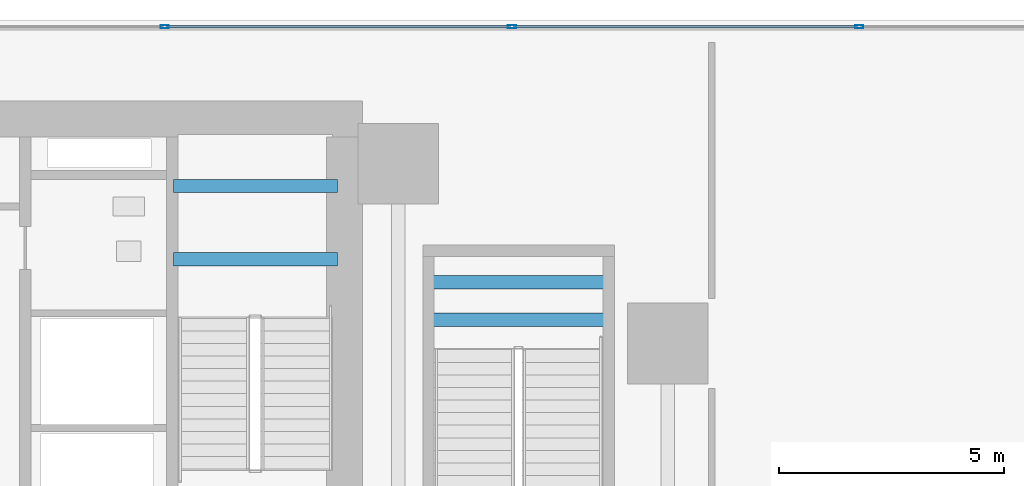
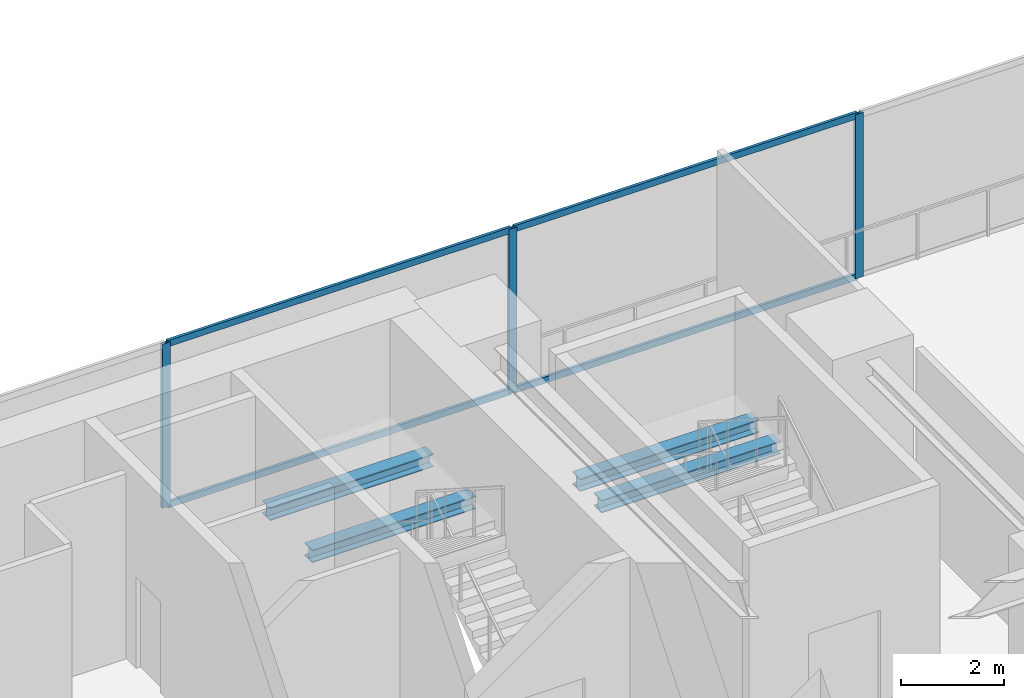
# One storey, part 6 of 17: 7 members, 4 beams, 1 element without a shape of its own.
"""IFC4 building model written with IfcOpenShell, lengths in metres."""

from ifc_helpers import new_model, si_unit, direction, frame, origin, origin_2d, place, context, subcontext, project, spatial, hollow_rectangle, i_section, extrude, source, transform, mapped, material, layer, layer_set, material_profile, profile_set, type_object, element, aggregate, save


model = new_model("IFC4")

# Units and contexts
model_context = context("Model", 3, precision=1e-05, world=origin(), true_north=direction((0.0, 1.0)))
body_context = subcontext(model_context, "Body", "Model", "MODEL_VIEW")
ifc_project = project(units=[si_unit("LENGTHUNIT", "METRE"), si_unit("AREAUNIT", "SQUARE_METRE"), si_unit("VOLUMEUNIT", "CUBIC_METRE"), si_unit("PLANEANGLEUNIT", "RADIAN"), si_unit("MASSUNIT", "GRAM", prefix="KILO")], contexts=[model_context])

# Site, building, storey
site_placement = place(None, origin())
site = spatial("IfcSite", under=ifc_project, at=site_placement, CompositionType="ELEMENT")
building_placement = place(site_placement, origin())
building = spatial("IfcBuilding", under=site, at=building_placement, Name="Sumidabori Civic Tower", CompositionType="ELEMENT")
storey_placement = place(building_placement, frame((0.0, 0.0, 9.64990234375)))
storey = spatial("IfcBuildingStorey", under=building, at=storey_placement, Name="L02", CompositionType="ELEMENT", Elevation=9.64990234375)

# Beams
ifc_material_1 = material(Name="Steel SN490", Category="steel")
ifc_material_profile_1 = material_profile(ifc_material_1, i_section(OverallWidth=0.300048828125, OverallDepth=0.300048828125, WebThickness=0.010986328125, FlangeThickness=0.01904296875, at=origin_2d()), Name="HE 300 B")
ifc_profile_set_1 = profile_set([ifc_material_profile_1], Name="Steel SN490")
beam_type = type_object("IfcBeamType", Name="BM-LDG-300", PredefinedType="BEAM", material=ifc_profile_set_1)
shared_shape_1 = source(origin(), body_context, "Body", "SweptSolid", [
    extrude(i_section(OverallWidth=0.300048828125, OverallDepth=0.300048828125, WebThickness=0.010986328125, FlangeThickness=0.01904296875, at=origin_2d()), origin(), (0.0, 0.0, 1.0), 3.64990234375),
])
for number, where, z_axis, x_axis, name in (
    (1, (11.800048828125, 20.668701171875, 1.97509765625), (1.0, 0.0, 0.0), (0.0, 1.0, 0.0), "Stair ST-2 Landing Support Beam L02-1A"),
    (2, (11.800048828125, 22.3046875, 1.97509765625), (1.0, 0.0, 0.0), (0.0, 1.0, 0.0), "Stair ST-2 Landing Trimmer Beam L02-1B"),
):
    element("IfcBeam", number, at=place(storey_placement, frame(where, z_axis=z_axis, x_axis=x_axis)), inside=storey, type_object=beam_type, Name=name, PredefinedType="BEAM", context=body_context, shape_type="MappedRepresentation", body=[
        mapped(shared_shape_1, transform((0.0, 0.0, 0.0), x_axis=(1.0, 0.0, 0.0), y_axis=(0.0, 1.0, 0.0), z_axis=(0.0, 0.0, 1.0), scale=1.0)),
    ])
shared_shape_2 = source(origin(), body_context, "Body", "SweptSolid", [
    extrude(i_section(OverallWidth=0.300048828125, OverallDepth=0.300048828125, WebThickness=0.010986328125, FlangeThickness=0.01904296875, at=origin_2d()), origin(), (0.0, 0.0, 1.0), 4.0),
])
for number, where, z_axis, x_axis, name in (
    (3, (17.47998046875, 19.32568359375, 1.97509765625), (1.0, 0.0, 0.0), (0.0, 1.0, 0.0), "Stair ST-4 Landing Support Beam L02-1A"),
    (4, (17.47998046875, 20.15771484375, 1.97509765625), (1.0, 0.0, 0.0), (0.0, 1.0, 0.0), "Stair ST-4 Landing Trimmer Beam L02-1B"),
):
    element("IfcBeam", number, at=place(storey_placement, frame(where, z_axis=z_axis, x_axis=x_axis)), inside=storey, type_object=beam_type, Name=name, PredefinedType="BEAM", context=body_context, shape_type="MappedRepresentation", body=[
        mapped(shared_shape_2, transform((0.0, 0.0, 0.0), x_axis=(1.0, 0.0, 0.0), y_axis=(0.0, 1.0, 0.0), z_axis=(0.0, 0.0, 1.0), scale=1.0)),
    ])

# Curtain wall, members
ifc_material_2 = material(Name="Anodised Bronze Aluminium AW-6063-T6", Category="aluminium")
ifc_layer = layer(ifc_material_2, 0.179931640625, Name="Anodised Bronze Aluminium AW-6063-T6")
ifc_layer_set = layer_set([ifc_layer], Name="Anodised Bronze Aluminium AW-6063-T6")
curtain_wall_type = type_object("IfcCurtainWallType", Name="CW-SYS-1", PredefinedType="NOTDEFINED", material=ifc_layer_set)
curtain_wall_placement = place(storey_placement, origin())
curtain_wall = element("IfcCurtainWall", 5, at=curtain_wall_placement, inside=storey, type_object=curtain_wall_type, Name="Curtain Wall CW:L02:NORTH", PredefinedType="NOTDEFINED")
ifc_material_profile_2 = material_profile(ifc_material_2, hollow_rectangle(XDim=0.070068359375, YDim=0.179931640625, WallThickness=0.006103515625, at=origin_2d()), Name="ALU MULLION 180x70")
ifc_profile_set_2 = profile_set([ifc_material_profile_2], Name="Anodised Bronze Aluminium AW-6063-T6")
member_type_1 = type_object("IfcMemberType", Name="CW-MUL-180", PredefinedType="MULLION", material=ifc_profile_set_2)
shared_shape_3 = source(origin(), body_context, "Body", "SweptSolid", [
    extrude(hollow_rectangle(XDim=0.070068359375, YDim=0.179931640625, WallThickness=0.006103515625, at=origin_2d()), origin(), (0.0, 0.0, 1.0), 3.8701171875),
])
member_1_placement = place(storey_placement, frame((11.60009765625, 25.85009765625, 0.0), z_axis=(0.0, 0.0, 1.0), x_axis=(0.0, 1.0, 0.0)))
member_1 = element("IfcMember", 6, at=member_1_placement, type_object=member_type_1, Name="CW-1 mullion 7", PredefinedType="MULLION", context=body_context, shape_type="MappedRepresentation", body=[
    mapped(shared_shape_3, transform((0.0, 0.0, 0.0), x_axis=(1.0, 0.0, 0.0), y_axis=(0.0, 1.0, 0.0), z_axis=(0.0, 0.0, 1.0), scale=1.0)),
])
member_2_placement = place(storey_placement, frame((19.333251953125, 25.85009765625, 0.0), z_axis=(0.0, 0.0, 1.0), x_axis=(0.0, 1.0, 0.0)))
member_2 = element("IfcMember", 7, at=member_2_placement, type_object=member_type_1, Name="CW-1 mullion 8", PredefinedType="MULLION", context=body_context, shape_type="MappedRepresentation", body=[
    mapped(shared_shape_3, transform((0.0, 0.0, 0.0), x_axis=(1.0, 0.0, 0.0), y_axis=(0.0, 1.0, 0.0), z_axis=(0.0, 0.0, 1.0), scale=1.0)),
])
member_3_placement = place(storey_placement, frame((27.066650390625, 25.85009765625, 0.0), z_axis=(0.0, 0.0, 1.0), x_axis=(0.0, 1.0, 0.0)))
member_3 = element("IfcMember", 8, at=member_3_placement, type_object=member_type_1, Name="CW-1 mullion 9", PredefinedType="MULLION", context=body_context, shape_type="MappedRepresentation", body=[
    mapped(shared_shape_3, transform((0.0, 0.0, 0.0), x_axis=(1.0, 0.0, 0.0), y_axis=(0.0, 1.0, 0.0), z_axis=(0.0, 0.0, 1.0), scale=1.0)),
])
ifc_material_profile_3 = material_profile(ifc_material_2, hollow_rectangle(XDim=0.06494140625, YDim=0.14990234375, WallThickness=0.0048828125, at=origin_2d()), Name="ALU TRANSOM 150x65")
ifc_profile_set_3 = profile_set([ifc_material_profile_3], Name="Anodised Bronze Aluminium AW-6063-T6")
member_type_2 = type_object("IfcMemberType", Name="CW-TRN-150", PredefinedType="USERDEFINED", material=ifc_profile_set_3)
shared_shape_4 = source(origin(), body_context, "Body", "SweptSolid", [
    extrude(hollow_rectangle(XDim=0.06494140625, YDim=0.14990234375, WallThickness=0.0048828125, at=origin_2d()), origin(), (0.0, 0.0, 1.0), 7.663330078125),
])
member_4_placement = place(storey_placement, frame((11.635009765625, 25.85009765625, 0.03271484375), z_axis=(1.0, 0.0, 0.0), x_axis=(0.0, 1.0, 0.0)))
member_4 = element("IfcMember", 9, at=member_4_placement, type_object=member_type_2, Name="CW-1 transom 7.1", ObjectType="TRANSOM", PredefinedType="USERDEFINED", context=body_context, shape_type="MappedRepresentation", body=[
    mapped(shared_shape_4, transform((0.0, 0.0, 0.0), x_axis=(1.0, 0.0, 0.0), y_axis=(0.0, 1.0, 0.0), z_axis=(0.0, 0.0, 1.0), scale=1.0)),
])
member_5_placement = place(storey_placement, frame((11.635009765625, 25.85009765625, 3.837646484375), z_axis=(1.0, 0.0, 0.0), x_axis=(0.0, 1.0, 0.0)))
member_5 = element("IfcMember", 10, at=member_5_placement, type_object=member_type_2, Name="CW-1 transom 7.2", ObjectType="TRANSOM", PredefinedType="USERDEFINED", context=body_context, shape_type="MappedRepresentation", body=[
    mapped(shared_shape_4, transform((0.0, 0.0, 0.0), x_axis=(1.0, 0.0, 0.0), y_axis=(0.0, 1.0, 0.0), z_axis=(0.0, 0.0, 1.0), scale=1.0)),
])
member_6_placement = place(storey_placement, frame((19.368408203125, 25.85009765625, 0.03271484375), z_axis=(1.0, 0.0, 0.0), x_axis=(0.0, 1.0, 0.0)))
member_6 = element("IfcMember", 11, at=member_6_placement, type_object=member_type_2, Name="CW-1 transom 8.1", ObjectType="TRANSOM", PredefinedType="USERDEFINED", context=body_context, shape_type="MappedRepresentation", body=[
    mapped(shared_shape_4, transform((0.0, 0.0, 0.0), x_axis=(1.0, 0.0, 0.0), y_axis=(0.0, 1.0, 0.0), z_axis=(0.0, 0.0, 1.0), scale=1.0)),
])
member_7_placement = place(storey_placement, frame((19.368408203125, 25.85009765625, 3.837646484375), z_axis=(1.0, 0.0, 0.0), x_axis=(0.0, 1.0, 0.0)))
member_7 = element("IfcMember", 12, at=member_7_placement, type_object=member_type_2, Name="CW-1 transom 8.2", ObjectType="TRANSOM", PredefinedType="USERDEFINED", context=body_context, shape_type="MappedRepresentation", body=[
    mapped(shared_shape_4, transform((0.0, 0.0, 0.0), x_axis=(1.0, 0.0, 0.0), y_axis=(0.0, 1.0, 0.0), z_axis=(0.0, 0.0, 1.0), scale=1.0)),
])
aggregate(curtain_wall, [member_1, member_2, member_3, member_4, member_5, member_6, member_7])

save(model, "model.ifc")
